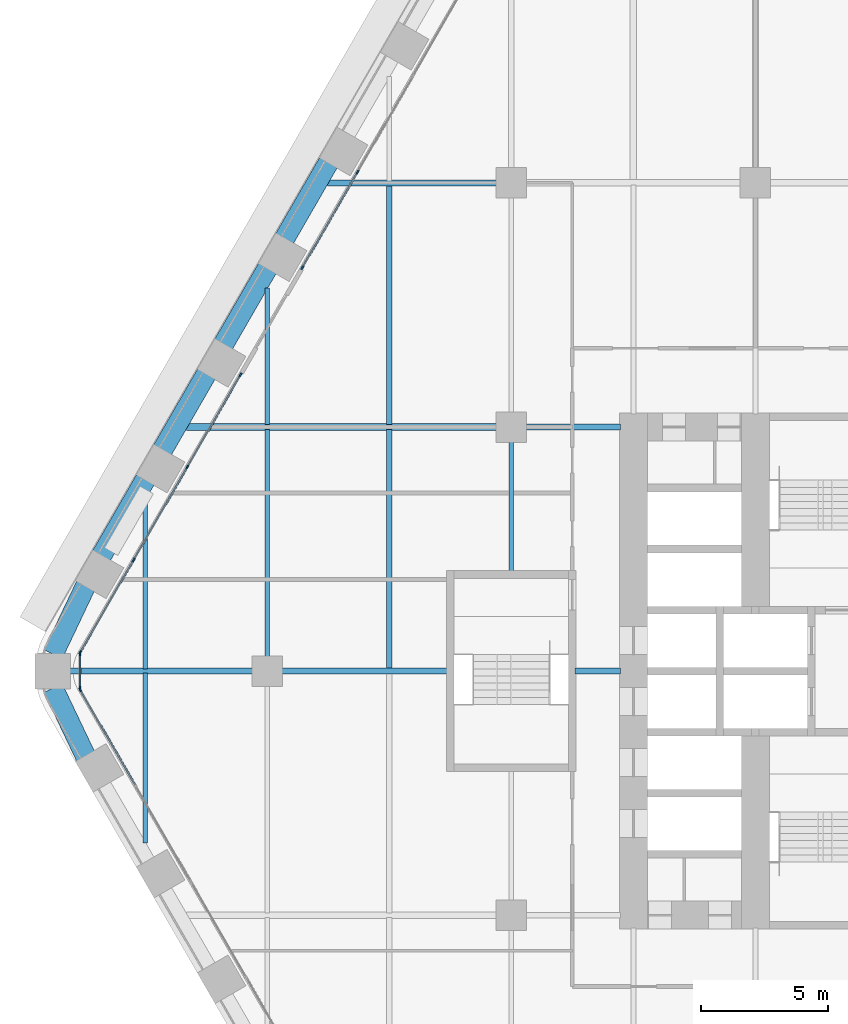
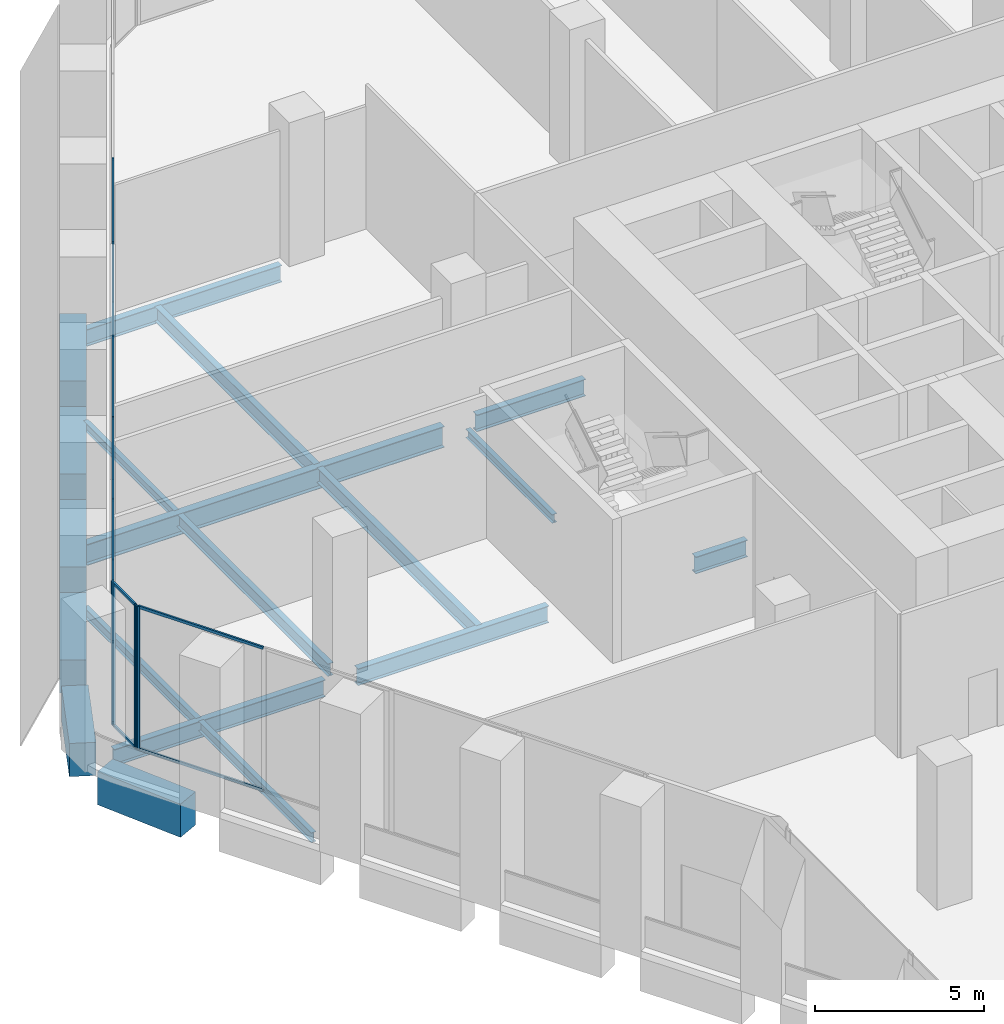
# One storey, part 8 of 32: 21 members, 19 beams, 4 elements without a shape of their own.
"""IFC4 building model written with IfcOpenShell, lengths in metres."""

from ifc_helpers import new_model, si_unit, direction, frame, origin, origin_2d, place, context, subcontext, project, spatial, rectangle, i_section, extrude, material, material_profile, profile_set, type_object, element, aggregate, save


model = new_model("IFC4")

# Units and contexts
model_context = context("Model", 3, precision=1e-05, world=origin(), true_north=direction((0.0, 1.0)))
body_context = subcontext(model_context, "Body", "Model", "MODEL_VIEW")
ifc_project = project(units=[si_unit("LENGTHUNIT", "METRE"), si_unit("AREAUNIT", "SQUARE_METRE"), si_unit("VOLUMEUNIT", "CUBIC_METRE"), si_unit("PLANEANGLEUNIT", "RADIAN"), si_unit("MASSUNIT", "GRAM", prefix="KILO")], contexts=[model_context])

# Site, building, storey
site_placement = place(None, origin())
site = spatial("IfcSite", under=ifc_project, at=site_placement, CompositionType="ELEMENT")
building_placement = place(site_placement, origin())
building = spatial("IfcBuilding", under=site, at=building_placement, Name="Kolab Exchange Tower", CompositionType="ELEMENT")
storey_placement = place(building_placement, frame((0.0, 0.0, 60.89990234375)))
storey = spatial("IfcBuildingStorey", under=building, at=storey_placement, Name="L11", CompositionType="ELEMENT", Elevation=60.89990234375)

# Beams
ifc_material_1 = material(Name="Steel S355", Category="steel")
ifc_material_profile_1 = material_profile(ifc_material_1, i_section(OverallWidth=0.1650390625, OverallDepth=0.31005859375, WebThickness=0.005859375, FlangeThickness=0.009765625, at=origin_2d()), Name="W310X39")
ifc_profile_set_1 = profile_set([ifc_material_profile_1], Name="Steel S355")
beam_type_1 = type_object("IfcBeamType", Name="FLOOR BEAM W310X39", PredefinedType="BEAM", material=ifc_profile_set_1)
beam_1_placement = place(storey_placement, frame((-28.800048828125, 9.693603515625, -0.40478515625), z_axis=(0.0, 1.0, 0.0), x_axis=(-1.0, 0.0, 0.0)))
element("IfcBeam", 1, at=beam_1_placement, inside=storey, type_object=beam_type_1, Name="beam/L11/fr/005", PredefinedType="BEAM", context=body_context, shape_type="SweptSolid", body=[
    extrude(i_section(OverallWidth=0.1650390625, OverallDepth=0.31005859375, WebThickness=0.005859375, FlangeThickness=0.009765625, at=origin_2d()), origin(), (0.0, 0.0, 1.0), 5.3740234375),
])
beam_2_placement = place(storey_placement, frame((-19.199951171875, 3.909912109375, -0.40478515625), z_axis=(0.0, 1.0, 0.0), x_axis=(-1.0, 0.0, 0.0)))
element("IfcBeam", 2, at=beam_2_placement, inside=storey, type_object=beam_type_1, Name="beam/L11/fr/015", PredefinedType="BEAM", context=body_context, shape_type="SweptSolid", body=[
    extrude(i_section(OverallWidth=0.1650390625, OverallDepth=0.31005859375, WebThickness=0.005859375, FlangeThickness=0.009765625, at=origin_2d()), origin(), (0.0, 0.0, 1.0), 5.130126953125),
])
ifc_material_profile_2 = material_profile(ifc_material_1, i_section(OverallWidth=0.1708984375, OverallDepth=0.35498046875, WebThickness=0.007080078125, FlangeThickness=0.01171875, at=origin_2d()), Name="W360X51")
ifc_profile_set_2 = profile_set([ifc_material_profile_2], Name="Steel S355")
beam_type_2 = type_object("IfcBeamType", Name="FLOOR BEAM W360X51", PredefinedType="BEAM", material=ifc_profile_set_2)
for number, where, z_axis, x_axis, name in (
    (3, (-33.60009765625, -6.75390625, -0.427490234375), (0.0, 1.0, 0.0), (-1.0, 0.0, 0.0), "beam/L11/fr/000"),
    (4, (-33.60009765625, 0.073974609375, -0.427490234375), (0.0, 1.0, 0.0), (-1.0, 0.0, 0.0), "beam/L11/fr/001"),
):
    element("IfcBeam", number, at=place(storey_placement, frame(where, z_axis=z_axis, x_axis=x_axis)), inside=storey, type_object=beam_type_2, Name=name, PredefinedType="BEAM", context=body_context, shape_type="SweptSolid", body=[
        extrude(i_section(OverallWidth=0.1708984375, OverallDepth=0.35498046875, WebThickness=0.007080078125, FlangeThickness=0.01171875, at=origin_2d()), origin(), (0.0, 0.0, 1.0), 6.679931640625),
    ])
ifc_material_profile_3 = material_profile(ifc_material_1, i_section(OverallWidth=0.18994140625, OverallDepth=0.45703125, WebThickness=0.009033203125, FlangeThickness=0.014404296875, at=origin_2d()), Name="W460X74")
ifc_profile_set_3 = profile_set([ifc_material_profile_3], Name="Steel S355")
beam_type_3 = type_object("IfcBeamType", Name="FLOOR BEAM W460X74", PredefinedType="BEAM", material=ifc_profile_set_3)
beam_3_placement = place(storey_placement, frame((-28.800048828125, 0.56005859375, -0.478515625), z_axis=(0.0, 1.0, 0.0), x_axis=(-1.0, 0.0, 0.0)))
element("IfcBeam", 5, at=beam_3_placement, inside=storey, type_object=beam_type_3, Name="beam/L11/fr/004", PredefinedType="BEAM", context=body_context, shape_type="SweptSolid", body=[
    extrude(i_section(OverallWidth=0.18994140625, OverallDepth=0.45703125, WebThickness=0.009033203125, FlangeThickness=0.014404296875, at=origin_2d()), origin(), (0.0, 0.0, 1.0), 8.946533203125),
])
ifc_material_profile_4 = material_profile(ifc_material_1, i_section(OverallWidth=0.208984375, OverallDepth=0.532958984375, WebThickness=0.01025390625, FlangeThickness=0.015625, at=origin_2d()), Name="W530X92")
ifc_profile_set_4 = profile_set([ifc_material_profile_4], Name="Steel S355")
beam_type_4 = type_object("IfcBeamType", Name="FLOOR BEAM W530X92", PredefinedType="BEAM", material=ifc_profile_set_4)
beam_4_placement = place(storey_placement, frame((-24.0, 0.073974609375, -0.516357421875), z_axis=(0.0, 1.0, 0.0), x_axis=(-1.0, 0.0, 0.0)))
element("IfcBeam", 6, at=beam_4_placement, inside=storey, type_object=beam_type_4, Name="beam/L11/fr/009", PredefinedType="BEAM", context=body_context, shape_type="SweptSolid", body=[
    extrude(i_section(OverallWidth=0.208984375, OverallDepth=0.532958984375, WebThickness=0.01025390625, FlangeThickness=0.015625, at=origin_2d()), origin(), (0.0, 0.0, 1.0), 9.4326171875),
])
beam_5_placement = place(storey_placement, frame((-24.0, 9.693603515625, -0.516357421875), z_axis=(0.0, 1.0, 0.0), x_axis=(-1.0, 0.0, 0.0)))
element("IfcBeam", 7, at=beam_5_placement, inside=storey, type_object=beam_type_4, Name="beam/L11/fr/010", PredefinedType="BEAM", context=body_context, shape_type="SweptSolid", body=[
    extrude(i_section(OverallWidth=0.208984375, OverallDepth=0.532958984375, WebThickness=0.01025390625, FlangeThickness=0.015625, at=origin_2d()), origin(), (0.0, 0.0, 1.0), 9.432373046875),
])
ifc_material_profile_5 = material_profile(ifc_material_1, i_section(OverallWidth=0.22802734375, OverallDepth=0.60791015625, WebThickness=0.01123046875, FlangeThickness=0.017333984375, at=origin_2d()), Name="W610X113")
ifc_profile_set_5 = profile_set([ifc_material_profile_5], Name="Steel S355")
beam_type_5 = type_object("IfcBeamType", Name="FLOOR GIRDER W610X113", PredefinedType="BEAM", material=ifc_profile_set_5)
beam_6_placement = place(storey_placement, frame((-36.575927734375, 0.0, -0.553955078125), z_axis=(1.0, 0.0, 0.0), x_axis=(0.0, 1.0, 0.0)))
element("IfcBeam", 8, at=beam_6_placement, inside=storey, type_object=beam_type_5, Name="beam/L11/gd/000", PredefinedType="BEAM", context=body_context, shape_type="SweptSolid", body=[
    extrude(i_section(OverallWidth=0.22802734375, OverallDepth=0.60791015625, WebThickness=0.01123046875, FlangeThickness=0.017333984375, at=origin_2d()), origin(), (0.0, 0.0, 1.0), 7.2158203125),
])
beam_7_placement = place(storey_placement, frame((-28.239990234375, 0.0, -0.553955078125), z_axis=(1.0, 0.0, 0.0), x_axis=(0.0, 1.0, 0.0)))
element("IfcBeam", 9, at=beam_7_placement, inside=storey, type_object=beam_type_5, Name="beam/L11/gd/003", PredefinedType="BEAM", context=body_context, shape_type="SweptSolid", body=[
    extrude(i_section(OverallWidth=0.22802734375, OverallDepth=0.60791015625, WebThickness=0.01123046875, FlangeThickness=0.017333984375, at=origin_2d()), origin(), (0.0, 0.0, 1.0), 6.530029296875),
])
beam_8_placement = place(storey_placement, frame((-26.43115234375, 19.199951171875, -0.553955078125), z_axis=(1.0, 0.0, 0.0), x_axis=(0.0, 1.0, 0.0)))
element("IfcBeam", 10, at=beam_8_placement, inside=storey, type_object=beam_type_5, Name="beam/L11/gd/005", PredefinedType="BEAM", context=body_context, shape_type="SweptSolid", body=[
    extrude(i_section(OverallWidth=0.22802734375, OverallDepth=0.60791015625, WebThickness=0.01123046875, FlangeThickness=0.017333984375, at=origin_2d()), origin(), (0.0, 0.0, 1.0), 6.671142578125),
])
beam_9_placement = place(storey_placement, frame((-18.639892578125, 9.60009765625, -0.553955078125), z_axis=(1.0, 0.0, 0.0), x_axis=(0.0, 1.0, 0.0)))
element("IfcBeam", 11, at=beam_9_placement, inside=storey, type_object=beam_type_5, Name="beam/L11/gd/008", PredefinedType="BEAM", context=body_context, shape_type="SweptSolid", body=[
    extrude(i_section(OverallWidth=0.22802734375, OverallDepth=0.60791015625, WebThickness=0.01123046875, FlangeThickness=0.017333984375, at=origin_2d()), origin(), (0.0, 0.0, 1.0), 3.72998046875),
])
beam_10_placement = place(storey_placement, frame((-16.68994140625, 0.0, -0.553955078125), z_axis=(1.0, 0.0, 0.0), x_axis=(0.0, 1.0, 0.0)))
element("IfcBeam", 12, at=beam_10_placement, inside=storey, type_object=beam_type_5, Name="beam/L11/gd/010", PredefinedType="BEAM", context=body_context, shape_type="SweptSolid", body=[
    extrude(i_section(OverallWidth=0.22802734375, OverallDepth=0.60791015625, WebThickness=0.01123046875, FlangeThickness=0.017333984375, at=origin_2d()), origin(), (0.0, 0.0, 1.0), 1.780029296875),
])
ifc_material_profile_6 = material_profile(ifc_material_1, i_section(OverallWidth=0.26708984375, OverallDepth=0.761962890625, WebThickness=0.014404296875, FlangeThickness=0.021484375, at=origin_2d()), Name="W760X173")
ifc_profile_set_6 = profile_set([ifc_material_profile_6], Name="Steel S355")
beam_type_6 = type_object("IfcBeamType", Name="FLOOR GIRDER W760X173", PredefinedType="BEAM", material=ifc_profile_set_6)
beam_11_placement = place(storey_placement, frame((-31.9736328125, 9.60009765625, -0.630859375), z_axis=(1.0, 0.0, 0.0), x_axis=(0.0, 1.0, 0.0)))
element("IfcBeam", 13, at=beam_11_placement, inside=storey, type_object=beam_type_6, Name="beam/L11/gd/002", PredefinedType="BEAM", context=body_context, shape_type="SweptSolid", body=[
    extrude(i_section(OverallWidth=0.26708984375, OverallDepth=0.761962890625, WebThickness=0.014404296875, FlangeThickness=0.021484375, at=origin_2d()), origin(), (0.0, 0.0, 1.0), 12.213623046875),
])
ifc_material_2 = material(Name="Concrete C80/95", Category="concrete")
ifc_material_profile_7 = material_profile(ifc_material_2, rectangle(XDim=0.800048828125, YDim=1.199951171875, at=origin_2d()), Name="RC800X1200")
ifc_profile_set_7 = profile_set([ifc_material_profile_7], Name="Concrete C80/95")
beam_type_7 = type_object("IfcBeamType", Name="SPANDREL BEAM 800X1200 C80/95", PredefinedType="BEAM", material=ifc_profile_set_7)
for number, where, z_axis, x_axis, name in (
    (14, (-35.93798828125, -3.35888671875, -0.849853515625), (-0.429555669245, 0.903040379507, 0.0), (-0.903040379507, -0.429555669245, 0.0), "beam/L11/sp/F5-08"),
    (15, (-37.219970703125, 0.663818359375, -0.849853515625), (0.429555669245, 0.903040379507, 0.0), (-0.903040379507, 0.429555669245, 0.0), "beam/L11/sp/F6-01"),
):
    element("IfcBeam", number, at=place(storey_placement, frame(where, z_axis=z_axis, x_axis=x_axis)), inside=storey, type_object=beam_type_7, Name=name, PredefinedType="BEAM", context=body_context, shape_type="SweptSolid", body=[
        extrude(rectangle(XDim=0.800048828125, YDim=1.199951171875, at=origin_2d()), origin(), (0.0, 0.0, 1.0), 2.984375),
    ])
beam_12_placement = place(storey_placement, frame((-35.323486328125, 4.528564453125, -0.849853515625), z_axis=(0.500009906705, 0.86601968407, 0.0), x_axis=(-0.86601968407, 0.500009906705, 0.0)))
element("IfcBeam", 16, at=beam_12_placement, inside=storey, type_object=beam_type_7, Name="beam/L11/sp/F6-02", PredefinedType="BEAM", context=body_context, shape_type="SweptSolid", body=[
    extrude(rectangle(XDim=0.800048828125, YDim=1.199951171875, at=origin_2d()), origin(), (0.0, 0.0, 1.0), 3.47998046875),
])
for number, where, z_axis, x_axis, name in (
    (17, (-32.923583984375, 8.685302734375, -0.849853515625), (0.499979528911, 0.866037222451, 0.0), (-0.866037222451, 0.499979528911, 0.0), "beam/L11/sp/F6-03"),
    (18, (-30.523681640625, 12.84228515625, -0.849853515625), (0.499979528911, 0.866037222451, 0.0), (-0.866037222451, 0.499979528911, 0.0), "beam/L11/sp/F6-04"),
):
    element("IfcBeam", number, at=place(storey_placement, frame(where, z_axis=z_axis, x_axis=x_axis)), inside=storey, type_object=beam_type_7, Name=name, PredefinedType="BEAM", context=body_context, shape_type="SweptSolid", body=[
        extrude(rectangle(XDim=0.800048828125, YDim=1.199951171875, at=origin_2d()), origin(), (0.0, 0.0, 1.0), 3.480224609375),
    ])
beam_13_placement = place(storey_placement, frame((-28.12353515625, 16.999267578125, -0.849853515625), z_axis=(0.500009906705, 0.86601968407, 0.0), x_axis=(-0.86601968407, 0.500009906705, 0.0)))
element("IfcBeam", 19, at=beam_13_placement, inside=storey, type_object=beam_type_7, Name="beam/L11/sp/F6-05", PredefinedType="BEAM", context=body_context, shape_type="SweptSolid", body=[
    extrude(rectangle(XDim=0.800048828125, YDim=1.199951171875, at=origin_2d()), origin(), (0.0, 0.0, 1.0), 3.47998046875),
])

# Curtain wall, member
ifc_material_3 = material(Name="Aluminium EN AW-6063 T6", Category="aluminium")
curtain_wall_type = type_object("IfcCurtainWallType", Name="UNITISED LOW ZONE CURTAIN WALL", PredefinedType="NOTDEFINED", material=ifc_material_3)
curtain_wall_1_placement = place(storey_placement, origin())
curtain_wall_1 = element("IfcCurtainWall", 20, at=curtain_wall_1_placement, inside=storey, type_object=curtain_wall_type, Name="cw/L11/F5-2", PredefinedType="NOTDEFINED")
ifc_material_profile_8 = material_profile(ifc_material_3, rectangle(XDim=0.06005859375, YDim=0.159912109375, at=origin_2d()), Name="RECT 60X160")
ifc_profile_set_8 = profile_set([ifc_material_profile_8], Name="Aluminium EN AW-6063 T6")
member_type_1 = type_object("IfcMemberType", Name="UNITISED LOW ZONE MULLION 60 X 160", PredefinedType="MULLION", material=ifc_profile_set_8)
member_1_placement = place(storey_placement, frame((-36.150634765625, -0.736083984375, 0.0), z_axis=(0.0, 0.0, 1.0), x_axis=(-0.866025422102, -0.499999968274, 0.0)))
member_1 = element("IfcMember", 21, at=member_1_placement, type_object=member_type_1, Name="CW1 mullion 5", PredefinedType="MULLION", context=body_context, shape_type="SweptSolid", body=[
    extrude(rectangle(XDim=0.06005859375, YDim=0.159912109375, at=origin_2d()), origin(), (0.0, 0.0, 1.0), 5.2001953125),
])

# Curtain wall, members
curtain_wall_2_placement = place(storey_placement, origin())
curtain_wall_2 = element("IfcCurtainWall", 22, at=curtain_wall_2_placement, inside=storey, type_object=curtain_wall_type, Name="cw/L11/F6-1", PredefinedType="NOTDEFINED")
member_2_placement = place(storey_placement, frame((-36.150634765625, 0.736083984375, 0.0), z_axis=(0.0, 0.0, 1.0), x_axis=(-0.866025427826, 0.499999958358, 0.0)))
member_2 = element("IfcMember", 23, at=member_2_placement, type_object=member_type_1, Name="CW1 mullion 1", PredefinedType="MULLION", context=body_context, shape_type="SweptSolid", body=[
    extrude(rectangle(XDim=0.06005859375, YDim=0.159912109375, at=origin_2d()), origin(), (0.0, 0.0, 1.0), 5.2001953125),
])
member_3_placement = place(storey_placement, frame((-34.054443359375, 4.366943359375, 0.0), z_axis=(0.0, 0.0, 1.0), x_axis=(-0.866025427826, 0.499999958358, 0.0)))
member_3 = element("IfcMember", 24, at=member_3_placement, type_object=member_type_1, Name="CW1 mullion 2", PredefinedType="MULLION", context=body_context, shape_type="SweptSolid", body=[
    extrude(rectangle(XDim=0.06005859375, YDim=0.159912109375, at=origin_2d()), origin(), (0.0, 0.0, 1.0), 5.2001953125),
])
member_4_placement = place(storey_placement, frame((-31.943115234375, 8.02392578125, 0.0), z_axis=(0.0, 0.0, 1.0), x_axis=(-0.866025427826, 0.499999958358, 0.0)))
member_4 = element("IfcMember", 25, at=member_4_placement, type_object=member_type_1, Name="CW1 mullion 3", PredefinedType="MULLION", context=body_context, shape_type="SweptSolid", body=[
    extrude(rectangle(XDim=0.06005859375, YDim=0.159912109375, at=origin_2d()), origin(), (0.0, 0.0, 1.0), 5.2001953125),
])
member_5_placement = place(storey_placement, frame((-29.8466796875, 11.65478515625, 0.0), z_axis=(0.0, 0.0, 1.0), x_axis=(-0.866025427826, 0.499999958358, 0.0)))
member_5 = element("IfcMember", 26, at=member_5_placement, type_object=member_type_1, Name="CW1 mullion 4", PredefinedType="MULLION", context=body_context, shape_type="SweptSolid", body=[
    extrude(rectangle(XDim=0.06005859375, YDim=0.159912109375, at=origin_2d()), origin(), (0.0, 0.0, 1.0), 5.2001953125),
])

curtain_wall_3_placement = place(storey_placement, origin())
curtain_wall_3 = element("IfcCurtainWall", 27, at=curtain_wall_3_placement, inside=storey, type_object=curtain_wall_type, Name="cw/L11/F6-2", PredefinedType="NOTDEFINED")
member_6_placement = place(storey_placement, frame((-27.416748046875, 15.86376953125, 0.0), z_axis=(0.0, 0.0, 1.0), x_axis=(-0.866025397318, 0.5000000112, 0.0)))
member_6 = element("IfcMember", 28, at=member_6_placement, type_object=member_type_1, Name="CW1 mullion 1", PredefinedType="MULLION", context=body_context, shape_type="SweptSolid", body=[
    extrude(rectangle(XDim=0.06005859375, YDim=0.159912109375, at=origin_2d()), origin(), (0.0, 0.0, 1.0), 5.2001953125),
])
member_7_placement = place(storey_placement, frame((-25.248291015625, 19.61962890625, 0.0), z_axis=(0.0, 0.0, 1.0), x_axis=(-0.866025397318, 0.5000000112, 0.0)))
member_7 = element("IfcMember", 29, at=member_7_placement, type_object=member_type_1, Name="CW1 mullion 2", PredefinedType="MULLION", context=body_context, shape_type="SweptSolid", body=[
    extrude(rectangle(XDim=0.06005859375, YDim=0.159912109375, at=origin_2d()), origin(), (0.0, 0.0, 1.0), 5.2001953125),
])

curtain_wall_4_placement = place(storey_placement, origin())
curtain_wall_4 = element("IfcCurtainWall", 30, at=curtain_wall_4_placement, inside=storey, type_object=curtain_wall_type, Name="cw/L11/F5F6-corner", PredefinedType="NOTDEFINED")
member_8_placement = place(storey_placement, frame((-36.165771484375, -0.679931640625, 0.0), z_axis=(0.0, 0.0, 1.0), x_axis=(-1.0, 0.0, 0.0)))
member_8 = element("IfcMember", 31, at=member_8_placement, type_object=member_type_1, Name="CW1 mullion 1", PredefinedType="MULLION", context=body_context, shape_type="SweptSolid", body=[
    extrude(rectangle(XDim=0.06005859375, YDim=0.159912109375, at=origin_2d()), origin(), (0.0, 0.0, 1.0), 5.2001953125),
])
member_9_placement = place(storey_placement, frame((-36.165771484375, 0.679931640625, 0.0), z_axis=(0.0, 0.0, 1.0), x_axis=(-1.0, 0.0, 0.0)))
member_9 = element("IfcMember", 32, at=member_9_placement, type_object=member_type_1, Name="CW1 mullion 2", PredefinedType="MULLION", context=body_context, shape_type="SweptSolid", body=[
    extrude(rectangle(XDim=0.06005859375, YDim=0.159912109375, at=origin_2d()), origin(), (0.0, 0.0, 1.0), 5.2001953125),
])

# Member
ifc_material_profile_9 = material_profile(ifc_material_3, rectangle(XDim=0.06005859375, YDim=0.10009765625, at=origin_2d()), Name="RECT 60X100")
ifc_profile_set_9 = profile_set([ifc_material_profile_9], Name="Aluminium EN AW-6063 T6")
member_type_2 = type_object("IfcMemberType", Name="UNITISED LOW ZONE TRANSOM 60 X 100", PredefinedType="USERDEFINED", material=ifc_profile_set_9)
member_10_placement = place(storey_placement, frame((-33.9970703125, -4.4658203125, 0.030029296875), z_axis=(-0.500043627578, 0.866000213925, 0.0), x_axis=(-0.866000213925, -0.500043627578, 0.0)))
member_10 = element("IfcMember", 33, at=member_10_placement, type_object=member_type_2, Name="CW1 transom 4.1", ObjectType="TRANSOM", PredefinedType="USERDEFINED", context=body_context, shape_type="SweptSolid", body=[
    extrude(rectangle(XDim=0.06005859375, YDim=0.10009765625, at=origin_2d()), origin(), (0.0, 0.0, 1.0), 4.27685546875),
])

member_11_placement = place(storey_placement, frame((-33.9970703125, -4.4658203125, 5.170166015625), z_axis=(-0.500043627578, 0.866000213925, 0.0), x_axis=(-0.866000213925, -0.500043627578, 0.0)))
member_11 = element("IfcMember", 34, at=member_11_placement, type_object=member_type_2, Name="CW1 transom 4.2", ObjectType="TRANSOM", PredefinedType="USERDEFINED", context=body_context, shape_type="SweptSolid", body=[
    extrude(rectangle(XDim=0.06005859375, YDim=0.10009765625, at=origin_2d()), origin(), (0.0, 0.0, 1.0), 4.27685546875),
])

aggregate(curtain_wall_1, [member_1, member_10, member_11])

member_12_placement = place(storey_placement, frame((-36.1357421875, 0.761962890625, 0.030029296875), z_axis=(0.500027577057, 0.866009481578, 0.0), x_axis=(-0.866009481578, 0.500027577057, 0.0)))
member_12 = element("IfcMember", 35, at=member_12_placement, type_object=member_type_2, Name="CW1 transom 1.1", ObjectType="TRANSOM", PredefinedType="USERDEFINED", context=body_context, shape_type="SweptSolid", body=[
    extrude(rectangle(XDim=0.06005859375, YDim=0.10009765625, at=origin_2d()), origin(), (0.0, 0.0, 1.0), 4.132568359375),
])

member_13_placement = place(storey_placement, frame((-36.1357421875, 0.761962890625, 5.170166015625), z_axis=(0.500027577057, 0.866009481578, 0.0), x_axis=(-0.866009481578, 0.500027577057, 0.0)))
member_13 = element("IfcMember", 36, at=member_13_placement, type_object=member_type_2, Name="CW1 transom 1.2", ObjectType="TRANSOM", PredefinedType="USERDEFINED", context=body_context, shape_type="SweptSolid", body=[
    extrude(rectangle(XDim=0.06005859375, YDim=0.10009765625, at=origin_2d()), origin(), (0.0, 0.0, 1.0), 4.132568359375),
])

member_14_placement = place(storey_placement, frame((-34.039306640625, 4.392822265625, 0.030029296875), z_axis=(0.49999322259, 0.866029316688, 0.0), x_axis=(-0.866029316688, 0.49999322259, 0.0)))
member_14 = element("IfcMember", 37, at=member_14_placement, type_object=member_type_2, Name="CW1 transom 2.1", ObjectType="TRANSOM", PredefinedType="USERDEFINED", context=body_context, shape_type="SweptSolid", body=[
    extrude(rectangle(XDim=0.06005859375, YDim=0.10009765625, at=origin_2d()), origin(), (0.0, 0.0, 1.0), 4.16259765625),
])

member_15_placement = place(storey_placement, frame((-34.039306640625, 4.392822265625, 5.170166015625), z_axis=(0.49999322259, 0.866029316688, 0.0), x_axis=(-0.866029316688, 0.49999322259, 0.0)))
member_15 = element("IfcMember", 38, at=member_15_placement, type_object=member_type_2, Name="CW1 transom 2.2", ObjectType="TRANSOM", PredefinedType="USERDEFINED", context=body_context, shape_type="SweptSolid", body=[
    extrude(rectangle(XDim=0.06005859375, YDim=0.10009765625, at=origin_2d()), origin(), (0.0, 0.0, 1.0), 4.16259765625),
])

member_16_placement = place(storey_placement, frame((-31.927978515625, 8.0498046875, 0.030029296875), z_axis=(0.500001996123, 0.866024251319, 0.0), x_axis=(-0.866024251319, 0.500001996123, 0.0)))
member_16 = element("IfcMember", 39, at=member_16_placement, type_object=member_type_2, Name="CW1 transom 3.1", ObjectType="TRANSOM", PredefinedType="USERDEFINED", context=body_context, shape_type="SweptSolid", body=[
    extrude(rectangle(XDim=0.06005859375, YDim=0.10009765625, at=origin_2d()), origin(), (0.0, 0.0, 1.0), 4.1328125),
])

member_17_placement = place(storey_placement, frame((-31.927978515625, 8.0498046875, 5.170166015625), z_axis=(0.500001996123, 0.866024251319, 0.0), x_axis=(-0.866024251319, 0.500001996123, 0.0)))
member_17 = element("IfcMember", 40, at=member_17_placement, type_object=member_type_2, Name="CW1 transom 3.2", ObjectType="TRANSOM", PredefinedType="USERDEFINED", context=body_context, shape_type="SweptSolid", body=[
    extrude(rectangle(XDim=0.06005859375, YDim=0.10009765625, at=origin_2d()), origin(), (0.0, 0.0, 1.0), 4.1328125),
])

aggregate(curtain_wall_2, [member_2, member_3, member_4, member_5, member_12, member_13, member_14, member_15, member_16, member_17])

member_18_placement = place(storey_placement, frame((-27.401611328125, 15.8896484375, 0.030029296875), z_axis=(0.499976099074, 0.866039202551, 0.0), x_axis=(-0.866039202551, 0.499976099074, 0.0)))
member_18 = element("IfcMember", 41, at=member_18_placement, type_object=member_type_2, Name="CW1 transom 1.1", ObjectType="TRANSOM", PredefinedType="USERDEFINED", context=body_context, shape_type="SweptSolid", body=[
    extrude(rectangle(XDim=0.06005859375, YDim=0.10009765625, at=origin_2d()), origin(), (0.0, 0.0, 1.0), 4.277099609375),
])

member_19_placement = place(storey_placement, frame((-27.401611328125, 15.8896484375, 5.170166015625), z_axis=(0.499976099074, 0.866039202551, 0.0), x_axis=(-0.866039202551, 0.499976099074, 0.0)))
member_19 = element("IfcMember", 42, at=member_19_placement, type_object=member_type_2, Name="CW1 transom 1.2", ObjectType="TRANSOM", PredefinedType="USERDEFINED", context=body_context, shape_type="SweptSolid", body=[
    extrude(rectangle(XDim=0.06005859375, YDim=0.10009765625, at=origin_2d()), origin(), (0.0, 0.0, 1.0), 4.277099609375),
])

aggregate(curtain_wall_3, [member_6, member_7, member_18, member_19])

member_20_placement = place(storey_placement, frame((-36.165771484375, -0.64990234375, 0.030029296875), z_axis=(0.0, 1.0, 0.0), x_axis=(-1.0, 0.0, 0.0)))
member_20 = element("IfcMember", 43, at=member_20_placement, type_object=member_type_2, Name="CW1 transom 1.1", ObjectType="TRANSOM", PredefinedType="USERDEFINED", context=body_context, shape_type="SweptSolid", body=[
    extrude(rectangle(XDim=0.06005859375, YDim=0.10009765625, at=origin_2d()), origin(), (0.0, 0.0, 1.0), 1.2998046875),
])

member_21_placement = place(storey_placement, frame((-36.165771484375, -0.64990234375, 5.170166015625), z_axis=(0.0, 1.0, 0.0), x_axis=(-1.0, 0.0, 0.0)))
member_21 = element("IfcMember", 44, at=member_21_placement, type_object=member_type_2, Name="CW1 transom 1.2", ObjectType="TRANSOM", PredefinedType="USERDEFINED", context=body_context, shape_type="SweptSolid", body=[
    extrude(rectangle(XDim=0.06005859375, YDim=0.10009765625, at=origin_2d()), origin(), (0.0, 0.0, 1.0), 1.2998046875),
])

aggregate(curtain_wall_4, [member_8, member_9, member_20, member_21])

save(model, "model.ifc")
